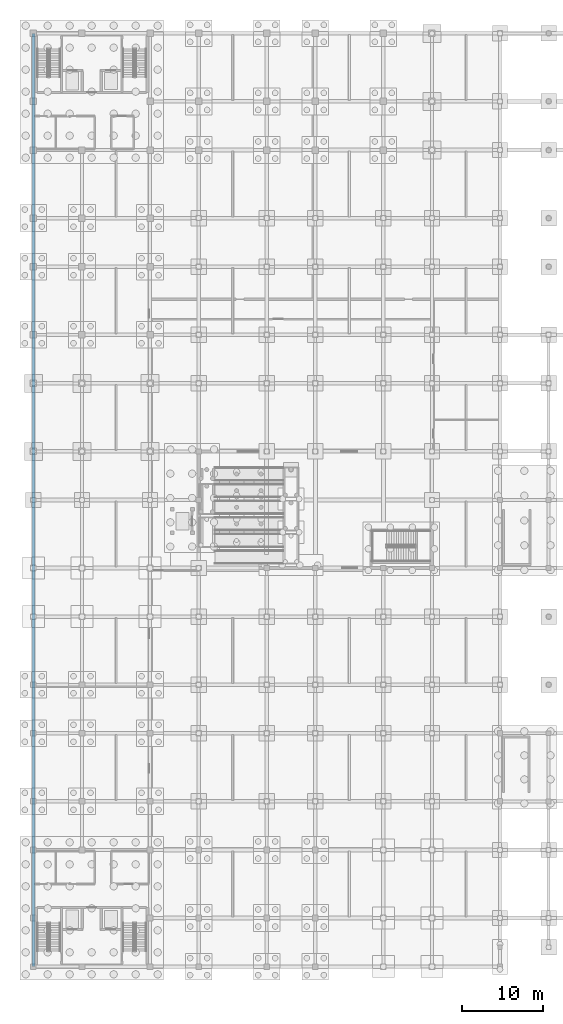
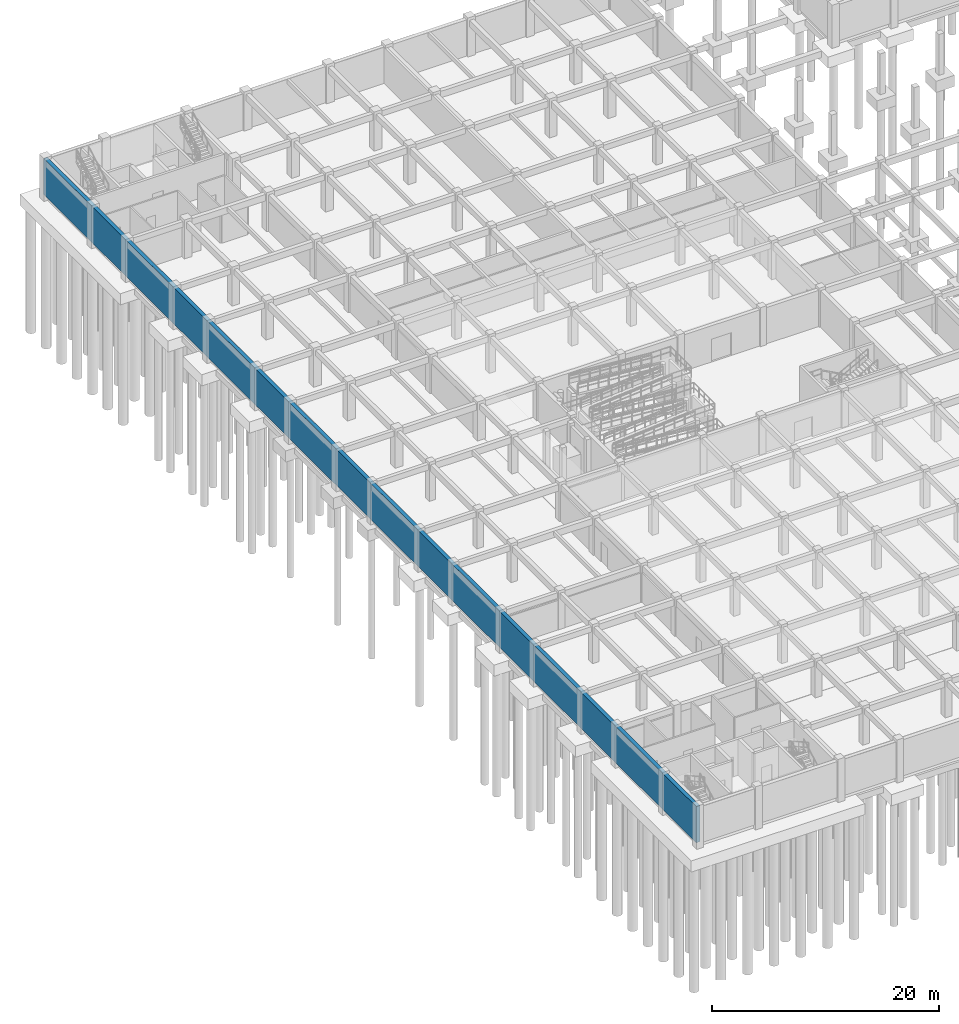
# One storey, part 25 of 40: 1 wall.
"""IFC4 building model written with IfcOpenShell, lengths in metres."""

from ifc_helpers import new_model, si_unit, direction, frame, frame_2d, origin, place, context, subcontext, project, spatial, rectangle, extrude, material, layer, layer_set, type_object, element, save


model = new_model("IFC4")

# Units and contexts
model_context = context("Model", 3, precision=1e-05, world=origin(), true_north=direction((0.0, 1.0)))
body_context = subcontext(model_context, "Body", "Model", "MODEL_VIEW")
ifc_project = project(units=[si_unit("LENGTHUNIT", "METRE"), si_unit("AREAUNIT", "SQUARE_METRE"), si_unit("VOLUMEUNIT", "CUBIC_METRE"), si_unit("PLANEANGLEUNIT", "RADIAN"), si_unit("MASSUNIT", "GRAM", prefix="KILO"), si_unit("THERMODYNAMICTEMPERATUREUNIT", "KELVIN")], contexts=[model_context])

# Site, building, storey
site_placement = place(None, origin())
site = spatial("IfcSite", under=ifc_project, at=site_placement, CompositionType="ELEMENT")
building_placement = place(site_placement, origin())
building = spatial("IfcBuilding", under=site, at=building_placement, Name="Thalorik Housing Commons", CompositionType="ELEMENT")
storey_placement = place(building_placement, frame((0.0, 0.0, -4.199951171875)))
storey = spatial("IfcBuildingStorey", under=building, at=storey_placement, Name="B1", CompositionType="ELEMENT", Elevation=-4.199951171875)

# Wall
ifc_material = material(Name="Concrete C40/50", Category="concrete")
ifc_layer = layer(ifc_material, 0.3798828125, Name="Concrete C40/50", Category="concrete")
ifc_layer_set = layer_set([ifc_layer], Name="Concrete C40/50")
wall_type = type_object("IfcWallType", Name="ARC-WAL-RET-380", PredefinedType="SHEAR", material=ifc_layer_set)
wall_placement = place(storey_placement, frame((8.39990234375, 123.60009765625, 0.0), z_axis=(0.0, 0.0, 1.0), x_axis=(0.0, -1.0, 0.0)))
element("IfcWall", 1, at=wall_placement, inside=storey, type_object=wall_type, Name="B1 Exterior Wall WAL-B1-RET-03", PredefinedType="SHEAR", context=body_context, shape_type="SweptSolid", body=[
    extrude(rectangle(XDim=115.2001953125, YDim=0.3798828125, at=frame_2d((57.60009765625, 0.0))), origin(), (0.0, 0.0, 1.0), 3.89990234375),
])

save(model, "model.ifc")
